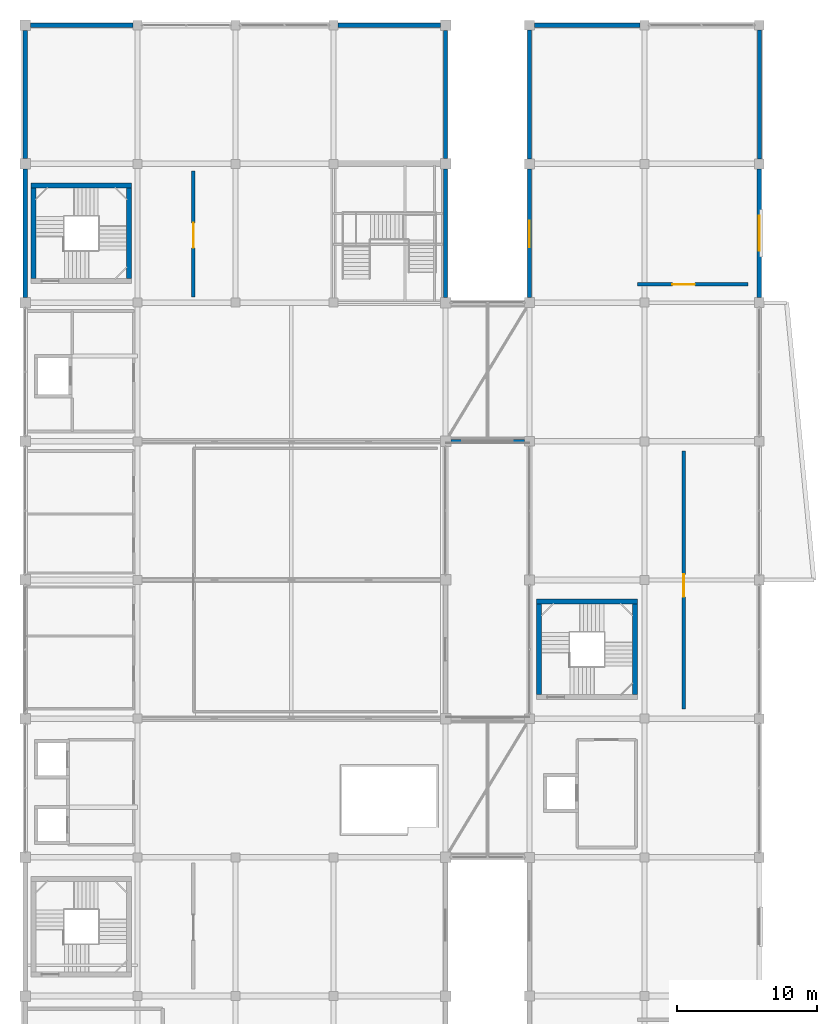
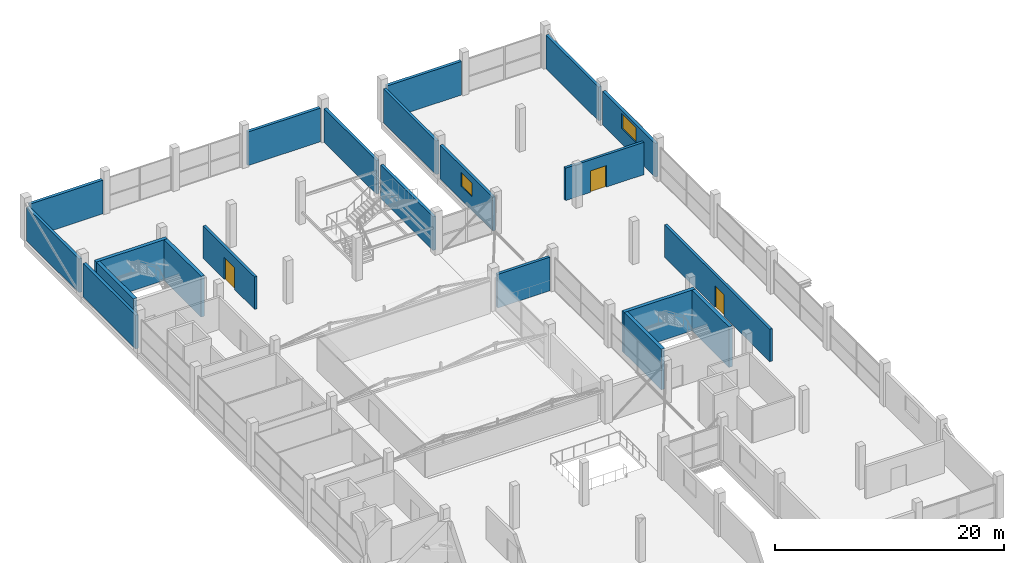
# One storey, part 57 of 69: 21 walls, 3 doors, 2 windows, 5 openings.
"""IFC4 building model written with IfcOpenShell, lengths in metres."""

from ifc_helpers import new_model, si_unit, direction, frame, frame_2d, origin, place, context, subcontext, project, spatial, rectangle, extrude, material, layer, layer_set, type_object, element, fill, save


model = new_model("IFC4")

# Units and contexts
model_context = context("Model", 3, precision=1e-05, world=origin(), true_north=direction((0.0, 1.0)))
body_context = subcontext(model_context, "Body", "Model", "MODEL_VIEW")
ifc_project = project(units=[si_unit("LENGTHUNIT", "METRE"), si_unit("AREAUNIT", "SQUARE_METRE"), si_unit("VOLUMEUNIT", "CUBIC_METRE"), si_unit("PLANEANGLEUNIT", "RADIAN"), si_unit("MASSUNIT", "GRAM", prefix="KILO")], contexts=[model_context])

# Site, building, storey
site_placement = place(None, origin())
site = spatial("IfcSite", under=ifc_project, at=site_placement, CompositionType="ELEMENT")
building_placement = place(site_placement, origin())
building = spatial("IfcBuilding", under=site, at=building_placement, Name="Sillaruma Civic Art Gallery", CompositionType="ELEMENT")
storey_placement = place(building_placement, frame((0.0, 0.0, 42.330078125)))
storey = spatial("IfcBuildingStorey", under=building, at=storey_placement, Name="L08", CompositionType="ELEMENT", Elevation=42.330078125)

# Walls
ifc_material_1 = material(Name="Concrete H40 (40 MPa)", Category="concrete")
ifc_layer_1 = layer(ifc_material_1, 0.35009765625, Name="Concrete H40 (40 MPa)")
ifc_layer_set_1 = layer_set([ifc_layer_1], Name="Concrete H40 (40 MPa)")
wall_type_1 = type_object("IfcWallType", Name="WAL-CORE-350", PredefinedType="SHEAR", material=ifc_layer_set_1)
wall_1_placement = place(storey_placement, frame((62.409912109375, 87.56494140625, 0.0), z_axis=(0.0, 0.0, 1.0), x_axis=(1.0, 0.0, 0.0)))
element("IfcWall", 1, at=wall_1_placement, inside=storey, type_object=wall_type_1, Name="Stair Core Shear Wall W-CORE-350 (ST-02:L08:N)", PredefinedType="SHEAR", context=body_context, shape_type="SweptSolid", body=[
    extrude(rectangle(XDim=7.18017578125, YDim=0.35009765625, at=frame_2d((3.590087890625, 0.0))), origin(), (0.0, 0.0, 1.0), 4.33984375),
])
for number, where, z_axis, x_axis, name in (
    (2, (62.5849609375, 80.909912109375, 0.0), (0.0, 0.0, 1.0), (0.0, 1.0, 0.0), "Stair Core Shear Wall W-CORE-350 (ST-02:L08:W)"),
    (3, (69.4150390625, 80.909912109375, 0.0), (0.0, 0.0, 1.0), (0.0, 1.0, 0.0), "Stair Core Shear Wall W-CORE-350 (ST-02:L08:E)"),
):
    element("IfcWall", number, at=place(storey_placement, frame(where, z_axis=z_axis, x_axis=x_axis)), inside=storey, type_object=wall_type_1, Name=name, PredefinedType="SHEAR", context=body_context, shape_type="SweptSolid", body=[
        extrude(rectangle(XDim=6.47998046875, YDim=0.35009765625, at=frame_2d((3.239990234375, 0.0))), origin(), (0.0, 0.0, 1.0), 4.33984375),
    ])
wall_2_placement = place(storey_placement, frame((98.510009765625, 57.864990234375, 0.0), z_axis=(0.0, 0.0, 1.0), x_axis=(1.0, 0.0, 0.0)))
element("IfcWall", 4, at=wall_2_placement, inside=storey, type_object=wall_type_1, Name="Stair Core Shear Wall W-CORE-350 (ST-04:L08:N)", PredefinedType="SHEAR", context=body_context, shape_type="SweptSolid", body=[
    extrude(rectangle(XDim=7.179931640625, YDim=0.35009765625, at=frame_2d((3.58984375, 0.0))), origin(), (0.0, 0.0, 1.0), 4.33984375),
])
for number, where, z_axis, x_axis, name in (
    (5, (98.68505859375, 51.2099609375, 0.0), (0.0, 0.0, 1.0), (0.0, 1.0, 0.0), "Stair Core Shear Wall W-CORE-350 (ST-04:L08:W)"),
    (6, (105.514892578125, 51.2099609375, 0.0), (0.0, 0.0, 1.0), (0.0, 1.0, 0.0), "Stair Core Shear Wall W-CORE-350 (ST-04:L08:E)"),
):
    element("IfcWall", number, at=place(storey_placement, frame(where, z_axis=z_axis, x_axis=x_axis)), inside=storey, type_object=wall_type_1, Name=name, PredefinedType="SHEAR", context=body_context, shape_type="SweptSolid", body=[
        extrude(rectangle(XDim=6.47998046875, YDim=0.35009765625, at=frame_2d((3.239990234375, 0.0))), origin(), (0.0, 0.0, 1.0), 4.33984375),
    ])
ifc_material_2 = material(Name="Concrete H35 (35 MPa)", Category="concrete")
ifc_layer_2 = layer(ifc_material_2, 0.159912109375, Name="Concrete backup", Category="concrete")
ifc_material_3 = material(Name="Mineral Wool Thermal Insulation", Category="insulation")
ifc_layer_3 = layer(ifc_material_3, 0.090087890625, Name="Thermal insulation", Category="insulation")
ifc_material_4 = material(Name="Anodised Zinc-Aluminium Alloy", Category="aluminium")
ifc_layer_4 = layer(ifc_material_4, 0.030029296875, Name="Rainscreen finish", Category="aluminium")
ifc_layer_set_2 = layer_set([ifc_layer_2, ifc_layer_3, ifc_layer_4], Name="W-EXT-280")
wall_type_2 = type_object("IfcWallType", Name="WAL-EXT-280", PredefinedType="SOLIDWALL", material=ifc_layer_set_2)
wall_3_placement = place(storey_placement, frame((92.0, 79.574951171875, 0.0), z_axis=(0.0, 0.0, 1.0), x_axis=(0.0, 1.0, 0.0)))
element("IfcWall", 7, at=wall_3_placement, inside=storey, type_object=wall_type_2, Name="Exterior Wall W-EXT-280 (EW-L08-WBE-7)", PredefinedType="SOLIDWALL", context=body_context, shape_type="SweptSolid", body=[
    extrude(rectangle(XDim=9.150146484375, YDim=0.280029296875, at=frame_2d((4.5751953125, 0.0))), origin(), (0.0, 0.0, 1.0), 3.58984375),
])
wall_4_placement = place(storey_placement, frame((92.0, 89.47509765625, 0.0), z_axis=(0.0, 0.0, 1.0), x_axis=(0.0, 1.0, 0.0)))
element("IfcWall", 8, at=wall_4_placement, inside=storey, type_object=wall_type_2, Name="Exterior Wall W-EXT-280 (EW-L08-WBE-8)", PredefinedType="SOLIDWALL", context=body_context, shape_type="SweptSolid", body=[
    extrude(rectangle(XDim=9.14990234375, YDim=0.280029296875, at=frame_2d((4.574951171875, 0.0))), origin(), (0.0, 0.0, 1.0), 3.58984375),
])

# Wall, opening, window
wall_5_placement = place(storey_placement, frame((98.0, 79.550048828125, 0.0), z_axis=(0.0, 0.0, 1.0), x_axis=(0.0, 1.0, 0.0)))
wall_5 = element("IfcWall", 9, at=wall_5_placement, inside=storey, type_object=wall_type_2, Name="Exterior Wall W-EXT-280 (EW-L08-EBW-7)", PredefinedType="SOLIDWALL", context=body_context, shape_type="SweptSolid", body=[
    extrude(rectangle(XDim=9.199951171875, YDim=0.280029296875, at=frame_2d((4.60009765625, 0.0))), origin(), (0.0, 0.0, 1.0), 3.58984375),
])
opening_1_placement = place(wall_5_placement, frame((3.60009765625, 0.0, 1.449951171875)))
opening_1 = element("IfcOpeningElement", 10, at=opening_1_placement, cuts=wall_5, Name="Opening WN-14", PredefinedType="OPENING", context=body_context, shape_type="SweptSolid", body=[
    extrude(rectangle(XDim=1.89990234375, YDim=1.449951171875, at=frame_2d((0.949951171875, 0.72509765625))), frame((0.0, 0.14990234375, 0.0), z_axis=(0.0, -1.0, 0.0), x_axis=(1.0, 0.0, 0.0)), (0.0, 0.0, 1.0), 0.300048828125),
])
ifc_material_5 = material(Name="Thermally Broken Extruded Aluminium 6063-T6", Category="aluminium")
window_type_1 = type_object("IfcWindowType", Name="WIN-W14", PartitioningType="SINGLE_PANEL", PredefinedType="WINDOW", material=ifc_material_5)
window_1_placement = place(opening_1_placement, origin())
window_1 = element("IfcWindow", 11, at=window_1_placement, inside=storey, type_object=window_type_1, Name="Window WN-14 (EW-L08-EBW-7-1)", OverallHeight=1.449951171875, OverallWidth=1.89990234375, PartitioningType="SINGLE_PANEL", PredefinedType="WINDOW", context=body_context, shape_type="SweptSolid", body=[
    extrude(rectangle(XDim=1.89990234375, YDim=1.449951171875, at=frame_2d((0.949951171875, 0.72509765625))), frame((0.0, 0.030029296875, 0.0), z_axis=(0.0, -1.0, 0.0), x_axis=(1.0, 0.0, 0.0)), (0.0, 0.0, 1.0), 0.06005859375),
])
fill(opening_1, window_1)

# Walls
wall_6_placement = place(storey_placement, frame((98.0, 89.449951171875, 0.0), z_axis=(0.0, 0.0, 1.0), x_axis=(0.0, 1.0, 0.0)))
element("IfcWall", 12, at=wall_6_placement, inside=storey, type_object=wall_type_2, Name="Exterior Wall W-EXT-280 (EW-L08-EBW-8)", PredefinedType="SOLIDWALL", context=body_context, shape_type="SweptSolid", body=[
    extrude(rectangle(XDim=9.199951171875, YDim=0.280029296875, at=frame_2d((4.60009765625, 0.0))), origin(), (0.0, 0.0, 1.0), 3.58984375),
])
wall_7_placement = place(storey_placement, frame((92.375, 69.300048828125, 0.0), z_axis=(0.0, 0.0, 1.0), x_axis=(1.0, 0.0, 0.0)))
element("IfcWall", 13, at=wall_7_placement, inside=storey, type_object=wall_type_2, Name="Exterior Wall W-EXT-280 (EW-BRG-N-L08-S)", PredefinedType="SOLIDWALL", context=body_context, shape_type="SweptSolid", body=[
    extrude(rectangle(XDim=5.27490234375, YDim=0.280029296875, at=frame_2d((2.637451171875, 0.0))), origin(), (0.0, 0.0, 1.0), 3.58984375),
])
ifc_layer_5 = layer(ifc_material_2, 0.169921875, Name="Concrete backup", Category="concrete")
ifc_layer_6 = layer(ifc_material_3, 0.090087890625, Name="Thermal insulation", Category="insulation")
ifc_layer_7 = layer(ifc_material_4, 0.030029296875, Name="Rainscreen finish", Category="aluminium")
ifc_layer_set_3 = layer_set([ifc_layer_5, ifc_layer_6, ifc_layer_7], Name="W-EXT-290")
wall_type_3 = type_object("IfcWallType", Name="WAL-EXT-290", PredefinedType="SOLIDWALL", material=ifc_layer_set_3)
wall_8_placement = place(storey_placement, frame((62.0, 79.574951171875, 0.0), z_axis=(0.0, 0.0, 1.0), x_axis=(0.0, 1.0, 0.0)))
element("IfcWall", 14, at=wall_8_placement, inside=storey, type_object=wall_type_3, Name="Exterior Wall W-EXT-290 (EW-L08-WBW-7)", PredefinedType="SOLIDWALL", context=body_context, shape_type="SweptSolid", body=[
    extrude(rectangle(XDim=9.150146484375, YDim=0.2900390625, at=frame_2d((4.5751953125, 0.0))), origin(), (0.0, 0.0, 1.0), 3.58984375),
])
wall_9_placement = place(storey_placement, frame((62.0, 89.47509765625, 0.0), z_axis=(0.0, 0.0, 1.0), x_axis=(0.0, 1.0, 0.0)))
element("IfcWall", 15, at=wall_9_placement, inside=storey, type_object=wall_type_3, Name="Exterior Wall W-EXT-290 (EW-L08-WBW-8)", PredefinedType="SOLIDWALL", context=body_context, shape_type="SweptSolid", body=[
    extrude(rectangle(XDim=9.14990234375, YDim=0.2900390625, at=frame_2d((4.574951171875, 0.0))), origin(), (0.0, 0.0, 1.0), 3.58984375),
])
wall_10_placement = place(storey_placement, frame((114.39990234375, 89.449951171875, 0.0), z_axis=(0.0, 0.0, 1.0), x_axis=(0.0, 1.0, 0.0)))
element("IfcWall", 16, at=wall_10_placement, inside=storey, type_object=wall_type_3, Name="Exterior Wall W-EXT-290 (EW-L08-EBE-8)", PredefinedType="SOLIDWALL", context=body_context, shape_type="SweptSolid", body=[
    extrude(rectangle(XDim=9.199951171875, YDim=0.2900390625, at=frame_2d((4.60009765625, 0.0))), origin(), (0.0, 0.0, 1.0), 3.58984375),
])
ifc_material_6 = material(Name="Precast Concrete H35 (35 MPa)", Category="concrete")
ifc_layer_8 = layer(ifc_material_6, 0.179931640625, Name="Precast backup", Category="concrete")
ifc_layer_9 = layer(ifc_material_3, 0.090087890625, Name="Thermal insulation", Category="insulation")
ifc_material_7 = material(Name="Comanche Granitic Ashlar Stone", Category="masonry")
ifc_layer_10 = layer(ifc_material_7, 0.030029296875, Name="Rainscreen cladding", Category="masonry")
ifc_layer_set_4 = layer_set([ifc_layer_8, ifc_layer_9, ifc_layer_10], Name="W-EXT-300")
wall_type_4 = type_object("IfcWallType", Name="WAL-EXT-300", PredefinedType="SOLIDWALL", material=ifc_layer_set_4)
for number, where, z_axis, x_axis, name in (
    (17, (62.375, 99.0, 0.0), (0.0, 0.0, 1.0), (1.0, 0.0, 0.0), "Exterior Wall W-EXT-300 (EW-L08-WBN-1)"),
    (18, (84.324951171875, 99.0, 0.0), (0.0, 0.0, 1.0), (1.0, 0.0, 0.0), "Exterior Wall W-EXT-300 (EW-L08-WBN-4)"),
):
    element("IfcWall", number, at=place(storey_placement, frame(where, z_axis=z_axis, x_axis=x_axis)), inside=storey, type_object=wall_type_4, Name=name, PredefinedType="SOLIDWALL", context=body_context, shape_type="SweptSolid", body=[
        extrude(rectangle(XDim=7.300048828125, YDim=0.300048828125, at=frame_2d((3.64990234375, 0.0))), origin(), (0.0, 0.0, 1.0), 3.58984375),
    ])

# Wall, opening, window
wall_11_placement = place(storey_placement, frame((114.39990234375, 79.550048828125, 0.0), z_axis=(0.0, 0.0, 1.0), x_axis=(0.0, 1.0, 0.0)))
wall_11 = element("IfcWall", 19, at=wall_11_placement, inside=storey, type_object=wall_type_4, Name="Exterior Wall W-EXT-300 (EW-L08-EBE-7)", PredefinedType="SOLIDWALL", context=body_context, shape_type="SweptSolid", body=[
    extrude(rectangle(XDim=9.199951171875, YDim=0.300048828125, at=frame_2d((4.60009765625, 0.0))), origin(), (0.0, 0.0, 1.0), 3.58984375),
])
opening_2_placement = place(wall_11_placement, frame((3.35009765625, 0.0, 1.64990234375)))
opening_2 = element("IfcOpeningElement", 20, at=opening_2_placement, cuts=wall_11, Name="Opening WN-11", PredefinedType="OPENING", context=body_context, shape_type="SweptSolid", body=[
    extrude(rectangle(XDim=2.5, YDim=1.60009765625, at=frame_2d((1.25, 0.800048828125))), frame((0.0, 0.159912109375, 0.0), z_axis=(0.0, -1.0, 0.0), x_axis=(1.0, 0.0, 0.0)), (0.0, 0.0, 1.0), 0.320068359375),
])
window_type_2 = type_object("IfcWindowType", Name="WIN-W11", PartitioningType="SINGLE_PANEL", PredefinedType="WINDOW", material=ifc_material_5)
window_2_placement = place(opening_2_placement, origin())
window_2 = element("IfcWindow", 21, at=window_2_placement, inside=storey, type_object=window_type_2, Name="Window WN-11 (EW-L08-EBE-7-1)", OverallHeight=1.60009765625, OverallWidth=2.5, PartitioningType="SINGLE_PANEL", PredefinedType="WINDOW", context=body_context, shape_type="SweptSolid", body=[
    extrude(rectangle(XDim=2.5, YDim=1.60009765625, at=frame_2d((1.25, 0.800048828125))), frame((0.0, 0.030029296875, 0.0), z_axis=(0.0, -1.0, 0.0), x_axis=(1.0, 0.0, 0.0)), (0.0, 0.0, 1.0), 0.06005859375),
])
fill(opening_2, window_2)

# Wall
wall_12_placement = place(storey_placement, frame((98.35009765625, 99.0, 0.0), z_axis=(0.0, 0.0, 1.0), x_axis=(1.0, 0.0, 0.0)))
element("IfcWall", 22, at=wall_12_placement, inside=storey, type_object=wall_type_4, Name="Exterior Wall W-EXT-300 (EW-L08-EBN-1)", PredefinedType="SOLIDWALL", context=body_context, shape_type="SweptSolid", body=[
    extrude(rectangle(XDim=7.52490234375, YDim=0.300048828125, at=frame_2d((3.762451171875, 0.0))), origin(), (0.0, 0.0, 1.0), 3.58984375),
])

# Wall, opening, door
ifc_material_8 = material(Name="Concrete Masonry Unit Grade M15", Category="masonry")
ifc_layer_11 = layer(ifc_material_8, 0.2548828125, Name="Concrete Masonry Unit Grade M15")
ifc_layer_set_5 = layer_set([ifc_layer_11], Name="Concrete Masonry Unit Grade M15")
wall_type_5 = type_object("IfcWallType", Name="WAL-STORE-250", PredefinedType="SOLIDWALL", material=ifc_layer_set_5)
wall_13_placement = place(storey_placement, frame((74.0, 79.60009765625, 0.0), z_axis=(0.0, 0.0, 1.0), x_axis=(0.0, 1.0, 0.0)))
wall_13 = element("IfcWall", 23, at=wall_13_placement, inside=storey, type_object=wall_type_5, Name="Interior Wall W-STORE-250 (L08-STR84)", PredefinedType="SOLIDWALL", context=body_context, shape_type="SweptSolid", body=[
    extrude(rectangle(XDim=9.0, YDim=0.2548828125, at=frame_2d((4.5, 0.0))), origin(), (0.0, 0.0, 1.0), 3.4599609375),
])
opening_3_placement = place(wall_13_placement, frame((3.5, 0.0, 0.0)))
opening_3 = element("IfcOpeningElement", 24, at=opening_3_placement, cuts=wall_13, Name="Opening D-STR18", PredefinedType="OPENING", context=body_context, shape_type="SweptSolid", body=[
    extrude(rectangle(XDim=1.800048828125, YDim=2.35009765625, at=frame_2d((0.89990234375, 1.175048828125))), frame((0.0, 0.137451171875, 0.0), z_axis=(0.0, -1.0, 0.0), x_axis=(1.0, 0.0, 0.0)), (0.0, 0.0, 1.0), 0.27490234375),
])
ifc_material_9 = material(Name="Galvanised Steel ASTM A653 Gr.50", Category="steel")
door_type_1 = type_object("IfcDoorType", Name="DOR-STORE-180", OperationType="NOTDEFINED", PredefinedType="DOOR", material=ifc_material_9)
door_1_placement = place(opening_3_placement, origin())
door_1 = element("IfcDoor", 25, at=door_1_placement, inside=storey, type_object=door_type_1, Name="West Wing North Painting Art Store Door (D-STR18)", OperationType="DOUBLE_DOOR_SINGLE_SWING", OverallHeight=2.35009765625, OverallWidth=1.800048828125, PredefinedType="DOOR", context=body_context, shape_type="SweptSolid", body=[
    extrude(rectangle(XDim=1.800048828125, YDim=2.35009765625, at=frame_2d((0.89990234375, 1.175048828125))), frame((0.0, 0.02490234375, 0.0), z_axis=(0.0, -1.0, 0.0), x_axis=(1.0, 0.0, 0.0)), (0.0, 0.0, 1.0), 0.050048828125),
])
fill(opening_3, door_1)

wall_14_placement = place(storey_placement, frame((105.699951171875, 80.5, 0.0), z_axis=(0.0, 0.0, 1.0), x_axis=(1.0, 0.0, 0.0)))
wall_14 = element("IfcWall", 26, at=wall_14_placement, inside=storey, type_object=wall_type_5, Name="Interior Wall W-STORE-250 (L08-STR82)", PredefinedType="SOLIDWALL", context=body_context, shape_type="SweptSolid", body=[
    extrude(rectangle(XDim=7.900146484375, YDim=0.2548828125, at=frame_2d((3.9501953125, 0.0))), origin(), (0.0, 0.0, 1.0), 3.4599609375),
])
opening_4_placement = place(wall_14_placement, frame((2.5, 0.0, 0.0)))
opening_4 = element("IfcOpeningElement", 27, at=opening_4_placement, cuts=wall_14, Name="Opening D-STR16", PredefinedType="OPENING", context=body_context, shape_type="SweptSolid", body=[
    extrude(rectangle(XDim=1.60009765625, YDim=2.300048828125, at=frame_2d((0.800048828125, 1.14990234375))), frame((0.0, 0.137451171875, 0.0), z_axis=(0.0, -1.0, 0.0), x_axis=(1.0, 0.0, 0.0)), (0.0, 0.0, 1.0), 0.27490234375),
])
door_type_2 = type_object("IfcDoorType", Name="DOR-STORE-160", OperationType="NOTDEFINED", PredefinedType="DOOR", material=ifc_material_9)
door_2_placement = place(opening_4_placement, origin())
door_2 = element("IfcDoor", 28, at=door_2_placement, inside=storey, type_object=door_type_2, Name="East Wing Print and Drawing Art Store Door (D-STR16)", OperationType="DOUBLE_DOOR_SINGLE_SWING", OverallHeight=2.300048828125, OverallWidth=1.60009765625, PredefinedType="DOOR", context=body_context, shape_type="SweptSolid", body=[
    extrude(rectangle(XDim=1.60009765625, YDim=2.300048828125, at=frame_2d((0.800048828125, 1.14990234375))), frame((0.0, 0.02490234375, 0.0), z_axis=(0.0, -1.0, 0.0), x_axis=(1.0, 0.0, 0.0)), (0.0, 0.0, 1.0), 0.050048828125),
])
fill(opening_4, door_2)

wall_15_placement = place(storey_placement, frame((109.0, 50.199951171875, 0.0), z_axis=(0.0, 0.0, 1.0), x_axis=(0.0, 1.0, 0.0)))
wall_15 = element("IfcWall", 29, at=wall_15_placement, inside=storey, type_object=wall_type_5, Name="Interior Wall W-STORE-250 (L08-STR85)", PredefinedType="SOLIDWALL", context=body_context, shape_type="SweptSolid", body=[
    extrude(rectangle(XDim=18.400146484375, YDim=0.2548828125, at=frame_2d((9.2001953125, 0.0))), origin(), (0.0, 0.0, 1.0), 3.4599609375),
])
opening_5_placement = place(wall_15_placement, frame((8.0, 0.0, 0.0)))
opening_5 = element("IfcOpeningElement", 30, at=opening_5_placement, cuts=wall_15, Name="Opening D-STR16", PredefinedType="OPENING", context=body_context, shape_type="SweptSolid", body=[
    extrude(rectangle(XDim=1.60009765625, YDim=2.300048828125, at=frame_2d((0.800048828125, 1.14990234375))), frame((0.0, 0.137451171875, 0.0), z_axis=(0.0, -1.0, 0.0), x_axis=(1.0, 0.0, 0.0)), (0.0, 0.0, 1.0), 0.27490234375),
])
door_3_placement = place(opening_5_placement, origin())
door_3 = element("IfcDoor", 31, at=door_3_placement, inside=storey, type_object=door_type_2, Name="East Wing Central Archive Art Store Door (D-STR16)", OperationType="DOUBLE_DOOR_SINGLE_SWING", OverallHeight=2.300048828125, OverallWidth=1.60009765625, PredefinedType="DOOR", context=body_context, shape_type="SweptSolid", body=[
    extrude(rectangle(XDim=1.60009765625, YDim=2.300048828125, at=frame_2d((0.800048828125, 1.14990234375))), frame((0.0, 0.02490234375, 0.0), z_axis=(0.0, -1.0, 0.0), x_axis=(1.0, 0.0, 0.0)), (0.0, 0.0, 1.0), 0.050048828125),
])
fill(opening_5, door_3)

save(model, "model.ifc")
